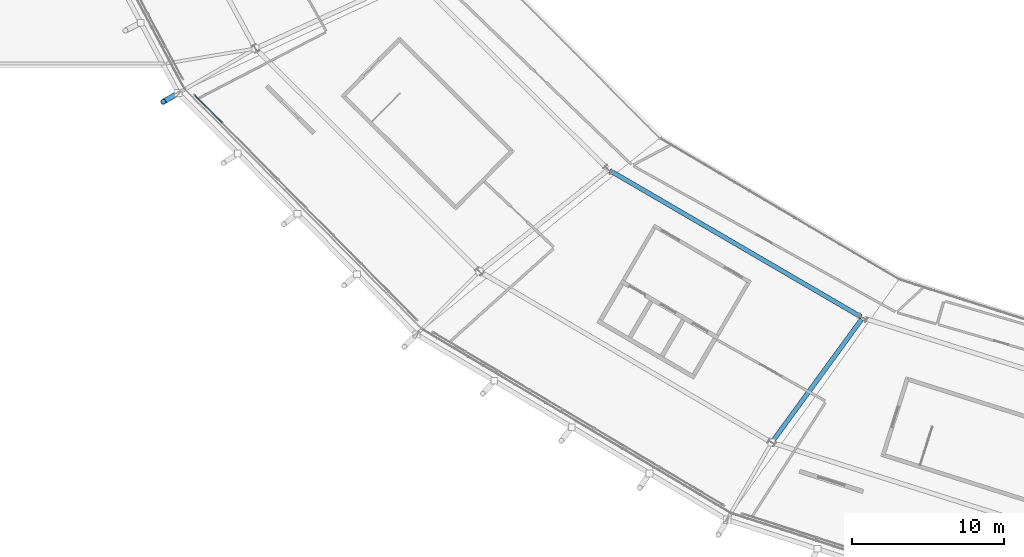
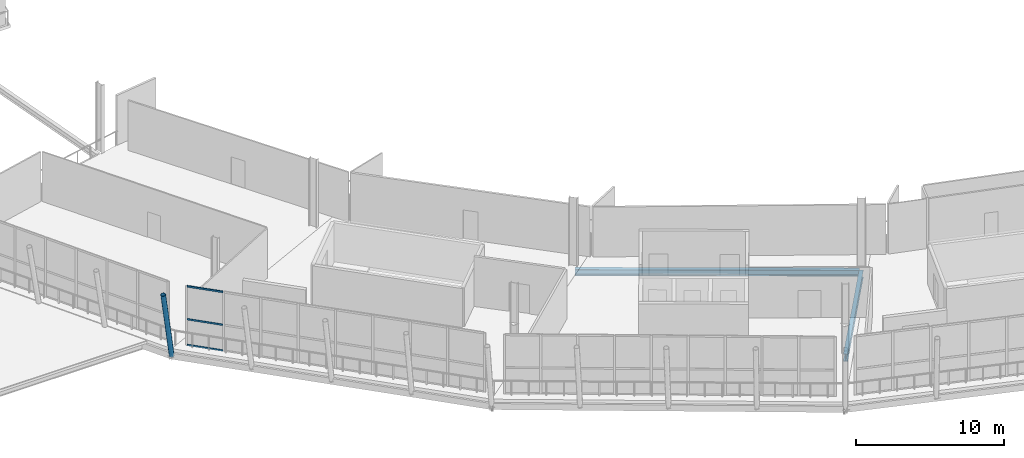
# One storey, part 15 of 99: 4 members, 2 beams, 1 element without a shape of its own.
"""IFC4 building model written with IfcOpenShell, lengths in metres."""

import ifcopenshell
import ifcopenshell.guid

model = None  # the IFC model being written
_history = None  # IfcOwnerHistory: only IFC2X3 demands one
_inside = {}  # id of a spatial element -> (the spatial element, [elements in it])
_under = {}  # id of a project, library or spatial element -> (it, [spatial elements below it])
_declared = {}  # id of a project -> (the project, [libraries it declares])
_typed = {}  # id of a type object -> (the type object, [elements of that type])
_made_of = {}  # id of a material, layer set ... -> (it, [elements and type objects made of it])


def new_model(schema):
    """Start an empty IFC model of exactly this schema.

    Asked for "IFC4X3", IfcOpenShell would pick the latest addendum, in which some entities
    have other attributes; the version numbers below select the first issue.
    IFC2X3 requires an IfcOwnerHistory on every rooted entity: one is made here for all.
    """
    global model, _history
    if schema == "IFC4X3":
        model = ifcopenshell.file(schema_version=(4, 3, 0, 0))
    else:
        model = ifcopenshell.file(schema=schema)
    _inside.clear()
    _under.clear()
    _declared.clear()
    _typed.clear()
    _made_of.clear()
    _history = None
    if model.schema == "IFC2X3":
        org = make("IfcOrganization", Name="unknown")
        user = make(
            "IfcPersonAndOrganization",
            ThePerson=make("IfcPerson", FamilyName="unknown"),
            TheOrganization=org,
        )
        app = make(
            "IfcApplication",
            ApplicationDeveloper=org,
            Version="unknown",
            ApplicationFullName="unknown",
            ApplicationIdentifier="unknown",
        )
        _history = make(
            "IfcOwnerHistory",
            OwningUser=user,
            OwningApplication=app,
            ChangeAction="ADDED",
            CreationDate=0,
        )
    return model


def make(cls, **values):
    """One entity of the class cls with the attributes given. An attribute that is None is left unset."""
    return model.create_entity(
        cls, **{name: value for name, value in values.items() if value is not None}
    )


def rooted(cls, **values):
    """An entity with a GlobalId (a new one), such as an element, a storey or a relation."""
    return make(cls, GlobalId=ifcopenshell.guid.new(), OwnerHistory=_history, **values)


def si_unit(unit_type, name, prefix=None):
    """IfcSIUnit, for example si_unit("LENGTHUNIT", "METRE", prefix="MILLI")."""
    return make("IfcSIUnit", UnitType=unit_type, Prefix=prefix, Name=name)


def assignment(units):
    """IfcUnitAssignment: the units of a project."""
    return None if units is None else make("IfcUnitAssignment", Units=units)


def point(xyz):
    """IfcCartesianPoint."""
    return None if xyz is None else make("IfcCartesianPoint", Coordinates=xyz)


def direction(xyz):
    """IfcDirection."""
    return None if xyz is None else make("IfcDirection", DirectionRatios=xyz)


def frame(location, z_axis=None, x_axis=None):
    """IfcAxis2Placement3D, a coordinate frame: its origin and axes. An axis left out is left unset."""
    return make(
        "IfcAxis2Placement3D",
        Location=point(location),
        Axis=direction(z_axis),
        RefDirection=direction(x_axis),
    )


def frame_2d(location, x_axis=None):
    """IfcAxis2Placement2D, a coordinate frame in the plane: its origin and x axis."""
    return make(
        "IfcAxis2Placement2D", Location=point(location), RefDirection=direction(x_axis)
    )


def origin():
    """The frame at (0, 0, 0) with its axes left unset."""
    return frame((0.0, 0.0, 0.0))


def origin_2d():
    """The frame at (0, 0) in the plane with its x axis left unset."""
    return frame_2d((0.0, 0.0))


def place(relative_to, where):
    """IfcLocalPlacement: puts the frame where relative to a parent placement (None: the world)."""
    return make(
        "IfcLocalPlacement", PlacementRelTo=relative_to, RelativePlacement=where
    )


def context(
    kind, dimensions, precision=None, world=None, true_north=None, identifier=None
):
    """IfcGeometricRepresentationContext, for example the 3D "Model" context."""
    return make(
        "IfcGeometricRepresentationContext",
        ContextIdentifier=identifier,
        ContextType=kind,
        CoordinateSpaceDimension=dimensions,
        Precision=precision,
        WorldCoordinateSystem=world,
        TrueNorth=true_north,
    )


def subcontext(parent, identifier, kind, view, scale=None):
    """IfcGeometricRepresentationSubContext, for example "Body" below "Model"."""
    return make(
        "IfcGeometricRepresentationSubContext",
        ContextIdentifier=identifier,
        ContextType=kind,
        ParentContext=parent,
        TargetScale=scale,
        TargetView=view,
    )


def project(units=None, contexts=None):
    """IfcProject with its units and contexts."""
    return rooted(
        "IfcProject",
        Name="project",
        RepresentationContexts=contexts,
        UnitsInContext=assignment(units),
    )


def spatial(cls, under=None, at=None, **own):
    """A site, building, storey or space (cls), placed at a placement, below another one or the project."""
    s = rooted(cls, ObjectPlacement=at, **own)
    if under is not None:
        _under.setdefault(under.id(), (under, []))[1].append(s)
    return s


def profile(cls, at=None, kind="AREA", **sizes):
    """A parametric profile (cls). Its sizes go by their IFC names, for example OverallWidth=200.0."""
    return make(cls, ProfileType=kind, Position=at, **sizes)


def rectangle(**sizes):
    """IfcRectangleProfileDef."""
    return profile("IfcRectangleProfileDef", **sizes)


def hollow_circle(**sizes):
    """IfcCircleHollowProfileDef."""
    return profile("IfcCircleHollowProfileDef", **sizes)


def i_section(**sizes):
    """IfcIShapeProfileDef."""
    return profile("IfcIShapeProfileDef", **sizes)


def extrude(swept, where, along, depth):
    """IfcExtrudedAreaSolid: the profile swept, set in the frame where, extruded along a direction by depth."""
    return make(
        "IfcExtrudedAreaSolid",
        SweptArea=swept,
        Position=where,
        ExtrudedDirection=direction(along),
        Depth=depth,
    )


def shape(context_of_items, identifier, shape_type, items):
    """IfcShapeRepresentation: the items that make up one representation, for example the "Body"."""
    return make(
        "IfcShapeRepresentation",
        ContextOfItems=context_of_items,
        RepresentationIdentifier=identifier,
        RepresentationType=shape_type,
        Items=items,
    )


def material(Name=None, Category=None):
    """IfcMaterial."""
    return make("IfcMaterial", Name=Name, Category=Category)


def material_profile(
    of_material, cross_section, Name=None, Category=None, Priority=None
):
    """IfcMaterialProfile: a cross section and its material."""
    return make(
        "IfcMaterialProfile",
        Name=Name,
        Material=of_material,
        Profile=cross_section,
        Priority=Priority,
        Category=Category,
    )


def profile_set(profiles, Name=None, composite=None):
    """IfcMaterialProfileSet."""
    return make(
        "IfcMaterialProfileSet",
        Name=Name,
        MaterialProfiles=profiles,
        CompositeProfile=composite,
    )


def made_of(thing, what):
    """Note that an element or type object is made of a material, layer set ...; save() writes the relation."""
    if what is not None:
        _made_of.setdefault(what.id(), (what, []))[1].append(thing)
    return thing


def type_object(cls, material=None, **own):
    """A type object (cls), such as IfcWallType, which elements share."""
    return made_of(rooted(cls, **own), material)


def element(
    cls,
    number,
    at=None,
    inside=None,
    cuts=None,
    type_object=None,
    material=None,
    context=None,
    identifier="Body",
    shape_type=None,
    held_by="IfcProductDefinitionShape",
    body=None,
    shapes=None,
    **own,
):
    """One element of the class cls, such as IfcWall. Its Tag is "e" and its number.

    at: its placement. inside: the storey or other place that contains it. cuts: it is an
    opening in that element (IfcRelVoidsElement). A single representation is given by context,
    identifier, shape_type and body (its items); several are given by shapes. held_by: the class
    of the entity that holds the representations. save() writes the other relations.
    """
    e = rooted(cls, Tag="e%d" % number, ObjectPlacement=at, **own)
    if body is not None:
        shapes = [shape(context, identifier, shape_type, body)]
    if shapes is not None:
        e.Representation = make(held_by, Representations=shapes)
    if inside is not None:
        _inside.setdefault(inside.id(), (inside, []))[1].append(e)
    if cuts is not None:
        rooted(
            "IfcRelVoidsElement", RelatingBuildingElement=cuts, RelatedOpeningElement=e
        )
    if type_object is not None:
        _typed.setdefault(type_object.id(), (type_object, []))[1].append(e)
    return made_of(e, material)


def aggregate(whole, parts):
    """IfcRelAggregates: a whole, such as a stair, and the parts it consists of."""
    return rooted("IfcRelAggregates", RelatingObject=whole, RelatedObjects=parts)


def save(model, path):
    """Write the relations noted so far, then the file.

    IfcRelAggregates (storeys below a building ...), IfcRelContainedInSpatialStructure (elements
    in a storey), IfcRelDefinesByType, IfcRelAssociatesMaterial and IfcRelDeclares: one each for
    every whole, place, type object, material and project.
    """
    for whole, parts in _under.values():
        aggregate(whole, parts)
    for where, things in _inside.values():
        rooted(
            "IfcRelContainedInSpatialStructure",
            RelatedElements=things,
            RelatingStructure=where,
        )
    for kind, things in _typed.values():
        rooted("IfcRelDefinesByType", RelatedObjects=things, RelatingType=kind)
    for what, things in _made_of.values():
        rooted("IfcRelAssociatesMaterial", RelatedObjects=things, RelatingMaterial=what)
    for by, libraries in _declared.values():
        rooted("IfcRelDeclares", RelatingContext=by, RelatedDefinitions=libraries)
    model.write(path)


model = new_model("IFC4")

# Units and contexts
model_context = context("Model", 3, precision=1e-05, world=origin(), true_north=direction((0.0, 1.0)))
body_context = subcontext(model_context, "Body", "Model", "MODEL_VIEW")
ifc_project = project(units=[si_unit("LENGTHUNIT", "METRE"), si_unit("AREAUNIT", "SQUARE_METRE"), si_unit("VOLUMEUNIT", "CUBIC_METRE"), si_unit("PLANEANGLEUNIT", "RADIAN"), si_unit("MASSUNIT", "GRAM", prefix="KILO")], contexts=[model_context])

# Site, building, storey
site_placement = place(None, origin())
site = spatial("IfcSite", under=ifc_project, at=site_placement, CompositionType="ELEMENT")
building_placement = place(site_placement, origin())
building = spatial("IfcBuilding", under=site, at=building_placement, Name="Zlatoyarsky Gate Stadium", CompositionType="ELEMENT")
storey_placement = place(building_placement, frame((0.0, 0.0, 26.199951171875)))
storey = spatial("IfcBuildingStorey", under=building, at=storey_placement, Name="L05", CompositionType="ELEMENT", Elevation=26.199951171875)

# Curtain wall, members
ifc_material_1 = material(Name="Thermally broken anodised aluminium curtain wall", Category="aluminium")
curtain_wall_type = type_object("IfcCurtainWallType", Name="UNITISED SKYBOX RING GLAZING L05", PredefinedType="USERDEFINED", material=ifc_material_1)
curtain_wall_placement = place(storey_placement, origin())
curtain_wall = element("IfcCurtainWall", 1, at=curtain_wall_placement, inside=storey, type_object=curtain_wall_type, Name="Curtain wall CW-L05-14", ObjectType="UNITISED GLAZING", PredefinedType="USERDEFINED")
ifc_material_2 = material(Name="Anodised aluminium 6063-T6", Category="aluminium")
ifc_material_profile_1 = material_profile(ifc_material_2, rectangle(XDim=0.06494140625, YDim=0.139892578125, at=origin_2d()), Name="ALU 65X140")
ifc_profile_set_1 = profile_set([ifc_material_profile_1], Name="Anodised aluminium 6063-T6")
member_type_1 = type_object("IfcMemberType", Name="ALUMINIUM TRANSOM 65X140", PredefinedType="USERDEFINED", material=ifc_profile_set_1)
member_1_placement = place(storey_placement, frame((26.47802734375, 41.402587890625, 0.032470703125), z_axis=(0.703162404699, -0.711029276906, 0.0), x_axis=(0.711029276906, 0.703162404699, 0.0)))
member_1 = element("IfcMember", 2, at=member_1_placement, type_object=member_type_1, Name="CW-UG5 transom 1.1", ObjectType="TRANSOM", PredefinedType="USERDEFINED", context=body_context, shape_type="SweptSolid", body=[
    extrude(rectangle(XDim=0.06494140625, YDim=0.139892578125, at=origin_2d()), origin(), (0.0, 0.0, 1.0), 2.513671875),
])
member_2_placement = place(storey_placement, frame((26.47802734375, 41.402587890625, 2.150146484375), z_axis=(0.703162404699, -0.711029276906, 0.0), x_axis=(0.711029276906, 0.703162404699, 0.0)))
member_2 = element("IfcMember", 3, at=member_2_placement, type_object=member_type_1, Name="CW-UG5 transom 1.2", ObjectType="TRANSOM", PredefinedType="USERDEFINED", context=body_context, shape_type="SweptSolid", body=[
    extrude(rectangle(XDim=0.06494140625, YDim=0.139892578125, at=origin_2d()), origin(), (0.0, 0.0, 1.0), 2.513671875),
])
member_3_placement = place(storey_placement, frame((26.47802734375, 41.402587890625, 4.84765625), z_axis=(0.703162404699, -0.711029276906, 0.0), x_axis=(0.711029276906, 0.703162404699, 0.0)))
member_3 = element("IfcMember", 4, at=member_3_placement, type_object=member_type_1, Name="CW-UG5 transom 1.3", ObjectType="TRANSOM", PredefinedType="USERDEFINED", context=body_context, shape_type="SweptSolid", body=[
    extrude(rectangle(XDim=0.06494140625, YDim=0.139892578125, at=origin_2d()), origin(), (0.0, 0.0, 1.0), 2.513671875),
])
aggregate(curtain_wall, [member_1, member_2, member_3])

# Member
ifc_material_3 = material(Name="Steel S355", Category="steel")
ifc_material_profile_2 = material_profile(ifc_material_3, hollow_circle(Radius=0.177734375, WallThickness=0.02001953125, at=origin_2d()), Name="CHS 355.6X20")
ifc_profile_set_2 = profile_set([ifc_material_profile_2], Name="Steel S355")
member_type_2 = type_object("IfcMemberType", Name="STEEL LEANING RIB RING STRUT CHS 355.6X20", PredefinedType="STRUT", material=ifc_profile_set_2)
member_4_placement = place(storey_placement, frame((25.369140625, 41.56103515625, -0.56005859375), z_axis=(-0.170925398241, -0.098707531353, 0.980327155337), x_axis=(0.500090077572, -0.865973391227, 0.0)))
element("IfcMember", 5, at=member_4_placement, inside=storey, type_object=member_type_2, Name="Upper leaning rib ring strut 14", PredefinedType="STRUT", context=body_context, shape_type="SweptSolid", body=[
    extrude(hollow_circle(Radius=0.177734375, WallThickness=0.02001953125, at=origin_2d()), origin(), (0.0, 0.0, 1.0), 5.82470703125),
])

# Beams
ifc_material_profile_3 = material_profile(ifc_material_3, i_section(OverallWidth=0.300048828125, OverallDepth=0.5, WebThickness=0.014404296875, FlangeThickness=0.028076171875, FilletRadius=0.027099609375, at=origin_2d()), Name="HEB 500")
ifc_profile_set_3 = profile_set([ifc_material_profile_3], Name="Steel S355")
beam_type_1 = type_object("IfcBeamType", Name="STEEL PRIMARY GIRDER HEB 500", PredefinedType="BEAM", material=ifc_profile_set_3)
beam_1_placement = place(storey_placement, frame((53.828125, 36.452392578125, -0.510009765625), z_axis=(0.864054462945, -0.503398336375, 0.0), x_axis=(0.503398336375, 0.864054462945, 0.0)))
element("IfcBeam", 6, at=beam_1_placement, inside=storey, type_object=beam_type_1, Name="Beam G-HEB500 BM-L05-CRB-15", PredefinedType="BEAM", context=body_context, shape_type="SweptSolid", body=[
    extrude(i_section(OverallWidth=0.300048828125, OverallDepth=0.5, WebThickness=0.014404296875, FlangeThickness=0.028076171875, FilletRadius=0.027099609375, at=origin_2d()), origin(), (0.0, 0.0, 1.0), 19.1748046875),
])
ifc_material_profile_4 = material_profile(ifc_material_3, i_section(OverallWidth=0.300048828125, OverallDepth=0.60009765625, WebThickness=0.015380859375, FlangeThickness=0.030029296875, FilletRadius=0.027099609375, at=origin_2d()), Name="HEB 600")
ifc_profile_set_4 = profile_set([ifc_material_profile_4], Name="Steel S355")
beam_type_2 = type_object("IfcBeamType", Name="STEEL PRIMARY GIRDER HEB 600", PredefinedType="BEAM", material=ifc_profile_set_4)
beam_2_placement = place(storey_placement, frame((70.42919921875, 26.642333984375, -0.56005859375), z_axis=(-0.589228266457, -0.807966614415, 0.0), x_axis=(0.807966614415, -0.589228266457, 0.0)))
element("IfcBeam", 7, at=beam_2_placement, inside=storey, type_object=beam_type_2, Name="Beam G-HEB600 BM-L05-RBC-16", PredefinedType="BEAM", context=body_context, shape_type="SweptSolid", body=[
    extrude(i_section(OverallWidth=0.300048828125, OverallDepth=0.60009765625, WebThickness=0.015380859375, FlangeThickness=0.030029296875, FilletRadius=0.027099609375, at=origin_2d()), origin(), (0.0, 0.0, 1.0), 9.9423828125),
])

save(model, "model.ifc")
